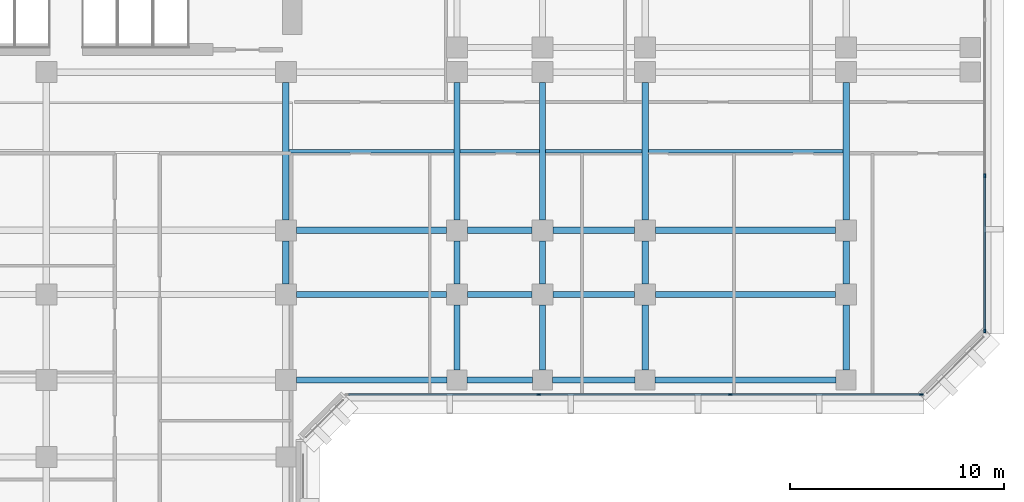
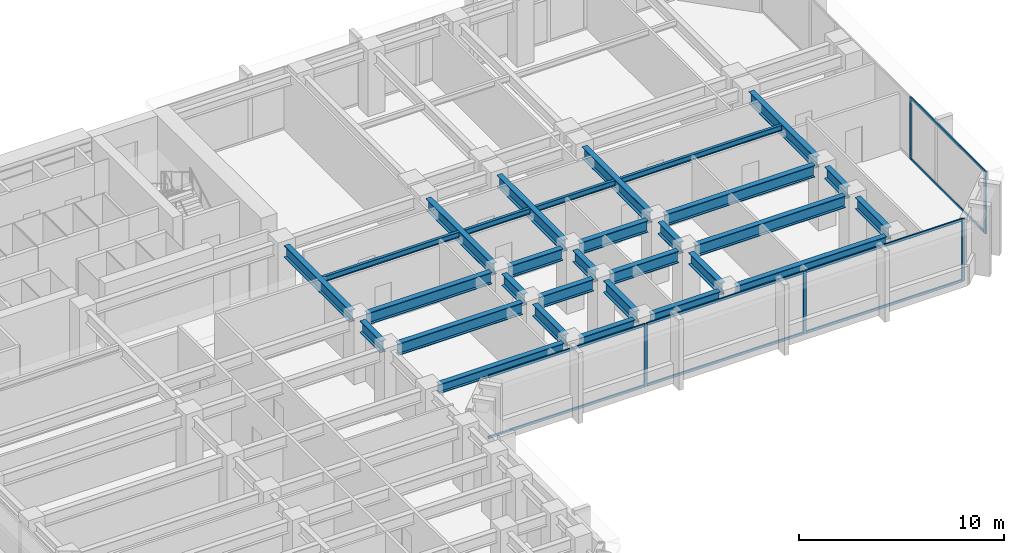
# One storey, part 3 of 13: 30 beams, 13 members, 2 elements without a shape of their own.
"""IFC4 building model written with IfcOpenShell, lengths in metres."""

from ifc_helpers import new_model, si_unit, direction, frame, origin, origin_2d, place, context, subcontext, project, spatial, rectangle, i_section, extrude, material, layer, layer_set, material_profile, profile_set, type_object, element, aggregate, save


model = new_model("IFC4")

# Units and contexts
model_context = context("Model", 3, precision=1e-05, world=origin(), true_north=direction((0.0, 1.0)))
body_context = subcontext(model_context, "Body", "Model", "MODEL_VIEW")
ifc_project = project(units=[si_unit("LENGTHUNIT", "METRE"), si_unit("AREAUNIT", "SQUARE_METRE"), si_unit("VOLUMEUNIT", "CUBIC_METRE"), si_unit("PLANEANGLEUNIT", "RADIAN"), si_unit("MASSUNIT", "GRAM", prefix="KILO")], contexts=[model_context])

# Site, building, storey
site_placement = place(None, origin())
site = spatial("IfcSite", under=ifc_project, at=site_placement, CompositionType="ELEMENT")
building_placement = place(site_placement, origin())
building = spatial("IfcBuilding", under=site, at=building_placement, Name="Kefirva Bronze Tower", CompositionType="ELEMENT")
storey_placement = place(building_placement, frame((0.0, 0.0, 58.080078125)))
storey = spatial("IfcBuildingStorey", under=building, at=storey_placement, Name="L13", CompositionType="ELEMENT", Elevation=58.080078125)

# Curtain wall, members
ifc_material_1 = material(Name="Bronze anodised aluminium", Category="aluminium")
ifc_layer = layer(ifc_material_1, 0.199951171875, Name="Bronze anodised aluminium")
ifc_layer_set = layer_set([ifc_layer], Name="Bronze anodised aluminium")
curtain_wall_type = type_object("IfcCurtainWallType", Name="Unitised Bronze Ribbon Curtain Wall Zone 1", PredefinedType="USERDEFINED", material=ifc_layer_set)
curtain_wall_1_placement = place(storey_placement, origin())
curtain_wall_1 = element("IfcCurtainWall", 1, at=curtain_wall_1_placement, inside=storey, type_object=curtain_wall_type, Name="L13 Curtain Wall 2", ObjectType="UNITISED CURTAIN WALL", PredefinedType="USERDEFINED")
ifc_material_profile_1 = material_profile(ifc_material_1, rectangle(XDim=0.074951171875, YDim=0.179931640625, at=origin_2d()), Name="ALU 75x180")
ifc_profile_set_1 = profile_set([ifc_material_profile_1], Name="Bronze anodised aluminium")
member_type_1 = type_object("IfcMemberType", Name="Bronze Mullion 75x180", PredefinedType="MULLION", material=ifc_profile_set_1)
member_1_placement = place(storey_placement, frame((35.018310546875, 18.1201171875, 0.0), z_axis=(0.0, 0.0, 1.0), x_axis=(0.0, 1.0, 0.0)))
member_1 = element("IfcMember", 2, at=member_1_placement, type_object=member_type_1, Name="CW-01 mullion 2", PredefinedType="MULLION", context=body_context, shape_type="SweptSolid", body=[
    extrude(rectangle(XDim=0.074951171875, YDim=0.179931640625, at=origin_2d()), origin(), (0.0, 0.0, 1.0), 3.7099609375),
])
member_2_placement = place(storey_placement, frame((43.981689453125, 18.1201171875, 0.0), z_axis=(0.0, 0.0, 1.0), x_axis=(0.0, 1.0, 0.0)))
member_2 = element("IfcMember", 3, at=member_2_placement, type_object=member_type_1, Name="CW-01 mullion 3", PredefinedType="MULLION", context=body_context, shape_type="SweptSolid", body=[
    extrude(rectangle(XDim=0.074951171875, YDim=0.179931640625, at=origin_2d()), origin(), (0.0, 0.0, 1.0), 3.7099609375),
])
member_3_placement = place(storey_placement, frame((52.907470703125, 18.1201171875, 0.0), z_axis=(0.0, 0.0, 1.0), x_axis=(0.0, 1.0, 0.0)))
member_3 = element("IfcMember", 4, at=member_3_placement, type_object=member_type_1, Name="CW-01 mullion 4", PredefinedType="MULLION", context=body_context, shape_type="SweptSolid", body=[
    extrude(rectangle(XDim=0.074951171875, YDim=0.179931640625, at=origin_2d()), origin(), (0.0, 0.0, 1.0), 3.7099609375),
])

curtain_wall_2_placement = place(storey_placement, origin())
curtain_wall_2 = element("IfcCurtainWall", 5, at=curtain_wall_2_placement, inside=storey, type_object=curtain_wall_type, Name="L13 Curtain Wall 3", ObjectType="UNITISED CURTAIN WALL", PredefinedType="USERDEFINED")
member_4_placement = place(storey_placement, frame((55.8798828125, 21.092529296875, 0.0), z_axis=(0.0, 0.0, 1.0), x_axis=(-1.0, 0.0, 0.0)))
member_4 = element("IfcMember", 6, at=member_4_placement, type_object=member_type_1, Name="CW-01 mullion 1", PredefinedType="MULLION", context=body_context, shape_type="SweptSolid", body=[
    extrude(rectangle(XDim=0.074951171875, YDim=0.179931640625, at=origin_2d()), origin(), (0.0, 0.0, 1.0), 3.7099609375),
])
member_5_placement = place(storey_placement, frame((55.8798828125, 28.3515625, 0.0), z_axis=(0.0, 0.0, 1.0), x_axis=(-1.0, 0.0, 0.0)))
member_5 = element("IfcMember", 7, at=member_5_placement, type_object=member_type_1, Name="CW-01 mullion 2", PredefinedType="MULLION", context=body_context, shape_type="SweptSolid", body=[
    extrude(rectangle(XDim=0.074951171875, YDim=0.179931640625, at=origin_2d()), origin(), (0.0, 0.0, 1.0), 3.7099609375),
])

# Member
ifc_material_profile_2 = material_profile(ifc_material_1, rectangle(XDim=0.074951171875, YDim=0.14990234375, at=origin_2d()), Name="ALU 75x150")
ifc_profile_set_2 = profile_set([ifc_material_profile_2], Name="Bronze anodised aluminium")
member_type_2 = type_object("IfcMemberType", Name="Bronze Transom 75x150", PredefinedType="USERDEFINED", material=ifc_profile_set_2)
member_6_placement = place(storey_placement, frame((26.1298828125, 18.1201171875, 0.037353515625), z_axis=(1.0, 0.0, 0.0), x_axis=(0.0, 1.0, 0.0)))
member_6 = element("IfcMember", 8, at=member_6_placement, type_object=member_type_2, Name="CW-01 transom 1.1", ObjectType="TRANSOM", PredefinedType="USERDEFINED", context=body_context, shape_type="SweptSolid", body=[
    extrude(rectangle(XDim=0.074951171875, YDim=0.14990234375, at=origin_2d()), origin(), (0.0, 0.0, 1.0), 8.850830078125),
])

member_7_placement = place(storey_placement, frame((26.1298828125, 18.1201171875, 3.67236328125), z_axis=(1.0, 0.0, 0.0), x_axis=(0.0, 1.0, 0.0)))
member_7 = element("IfcMember", 9, at=member_7_placement, type_object=member_type_2, Name="CW-01 transom 1.2", ObjectType="TRANSOM", PredefinedType="USERDEFINED", context=body_context, shape_type="SweptSolid", body=[
    extrude(rectangle(XDim=0.074951171875, YDim=0.14990234375, at=origin_2d()), origin(), (0.0, 0.0, 1.0), 8.850830078125),
])

member_8_placement = place(storey_placement, frame((35.055908203125, 18.1201171875, 0.037353515625), z_axis=(1.0, 0.0, 0.0), x_axis=(0.0, 1.0, 0.0)))
member_8 = element("IfcMember", 10, at=member_8_placement, type_object=member_type_2, Name="CW-01 transom 2.1", ObjectType="TRANSOM", PredefinedType="USERDEFINED", context=body_context, shape_type="SweptSolid", body=[
    extrude(rectangle(XDim=0.074951171875, YDim=0.14990234375, at=origin_2d()), origin(), (0.0, 0.0, 1.0), 8.88818359375),
])

member_9_placement = place(storey_placement, frame((35.055908203125, 18.1201171875, 3.67236328125), z_axis=(1.0, 0.0, 0.0), x_axis=(0.0, 1.0, 0.0)))
member_9 = element("IfcMember", 11, at=member_9_placement, type_object=member_type_2, Name="CW-01 transom 2.2", ObjectType="TRANSOM", PredefinedType="USERDEFINED", context=body_context, shape_type="SweptSolid", body=[
    extrude(rectangle(XDim=0.074951171875, YDim=0.14990234375, at=origin_2d()), origin(), (0.0, 0.0, 1.0), 8.88818359375),
])

member_10_placement = place(storey_placement, frame((44.019287109375, 18.1201171875, 0.037353515625), z_axis=(1.0, 0.0, 0.0), x_axis=(0.0, 1.0, 0.0)))
member_10 = element("IfcMember", 12, at=member_10_placement, type_object=member_type_2, Name="CW-01 transom 3.1", ObjectType="TRANSOM", PredefinedType="USERDEFINED", context=body_context, shape_type="SweptSolid", body=[
    extrude(rectangle(XDim=0.074951171875, YDim=0.14990234375, at=origin_2d()), origin(), (0.0, 0.0, 1.0), 8.850830078125),
])

member_11_placement = place(storey_placement, frame((44.019287109375, 18.1201171875, 3.67236328125), z_axis=(1.0, 0.0, 0.0), x_axis=(0.0, 1.0, 0.0)))
member_11 = element("IfcMember", 13, at=member_11_placement, type_object=member_type_2, Name="CW-01 transom 3.2", ObjectType="TRANSOM", PredefinedType="USERDEFINED", context=body_context, shape_type="SweptSolid", body=[
    extrude(rectangle(XDim=0.074951171875, YDim=0.14990234375, at=origin_2d()), origin(), (0.0, 0.0, 1.0), 8.850830078125),
])

aggregate(curtain_wall_1, [member_1, member_2, member_3, member_6, member_7, member_8, member_9, member_10, member_11])

member_12_placement = place(storey_placement, frame((55.8798828125, 21.1298828125, 0.037353515625), z_axis=(0.0, 1.0, 0.0), x_axis=(-1.0, 0.0, 0.0)))
member_12 = element("IfcMember", 14, at=member_12_placement, type_object=member_type_2, Name="CW-01 transom 1.1", ObjectType="TRANSOM", PredefinedType="USERDEFINED", context=body_context, shape_type="SweptSolid", body=[
    extrude(rectangle(XDim=0.074951171875, YDim=0.14990234375, at=origin_2d()), origin(), (0.0, 0.0, 1.0), 7.184326171875),
])

member_13_placement = place(storey_placement, frame((55.8798828125, 21.1298828125, 3.67236328125), z_axis=(0.0, 1.0, 0.0), x_axis=(-1.0, 0.0, 0.0)))
member_13 = element("IfcMember", 15, at=member_13_placement, type_object=member_type_2, Name="CW-01 transom 1.2", ObjectType="TRANSOM", PredefinedType="USERDEFINED", context=body_context, shape_type="SweptSolid", body=[
    extrude(rectangle(XDim=0.074951171875, YDim=0.14990234375, at=origin_2d()), origin(), (0.0, 0.0, 1.0), 7.184326171875),
])

aggregate(curtain_wall_2, [member_4, member_5, member_12, member_13])

# Beams
ifc_material_2 = material(Name="Steel S355", Category="steel")
ifc_material_profile_3 = material_profile(ifc_material_2, i_section(OverallWidth=0.159912109375, OverallDepth=0.330078125, WebThickness=0.007568359375, FlangeThickness=0.011474609375, at=origin_2d()), Name="IPE 330")
ifc_profile_set_3 = profile_set([ifc_material_profile_3], Name="Steel S355")
beam_type_1 = type_object("IfcBeamType", Name="Steel Floor Joist IPE 330", PredefinedType="JOIST", material=ifc_profile_set_3)
beam_1_placement = place(storey_placement, frame((23.35009765625, 29.5, 3.544921875), z_axis=(1.0, 0.0, 0.0), x_axis=(0.0, 1.0, 0.0)))
element("IfcBeam", 16, at=beam_1_placement, inside=storey, type_object=beam_type_1, Name="L13 JST-L13-23-295", PredefinedType="JOIST", context=body_context, shape_type="SweptSolid", body=[
    extrude(i_section(OverallWidth=0.159912109375, OverallDepth=0.330078125, WebThickness=0.007568359375, FlangeThickness=0.011474609375, at=origin_2d()), origin(), (0.0, 0.0, 1.0), 7.699951171875),
])
beam_2_placement = place(storey_placement, frame((31.35009765625, 29.5, 3.544921875), z_axis=(1.0, 0.0, 0.0), x_axis=(0.0, 1.0, 0.0)))
element("IfcBeam", 17, at=beam_2_placement, inside=storey, type_object=beam_type_1, Name="L13 JST-L13-31-295", PredefinedType="JOIST", context=body_context, shape_type="SweptSolid", body=[
    extrude(i_section(OverallWidth=0.159912109375, OverallDepth=0.330078125, WebThickness=0.007568359375, FlangeThickness=0.011474609375, at=origin_2d()), origin(), (0.0, 0.0, 1.0), 3.699951171875),
])
beam_3_placement = place(storey_placement, frame((35.35009765625, 29.5, 3.544921875), z_axis=(1.0, 0.0, 0.0), x_axis=(0.0, 1.0, 0.0)))
element("IfcBeam", 18, at=beam_3_placement, inside=storey, type_object=beam_type_1, Name="L13 JST-L13-35-295", PredefinedType="JOIST", context=body_context, shape_type="SweptSolid", body=[
    extrude(i_section(OverallWidth=0.159912109375, OverallDepth=0.330078125, WebThickness=0.007568359375, FlangeThickness=0.011474609375, at=origin_2d()), origin(), (0.0, 0.0, 1.0), 4.5),
])
beam_4_placement = place(storey_placement, frame((40.14990234375, 29.5, 3.544921875), z_axis=(1.0, 0.0, 0.0), x_axis=(0.0, 1.0, 0.0)))
element("IfcBeam", 19, at=beam_4_placement, inside=storey, type_object=beam_type_1, Name="L13 JST-L13-40-295", PredefinedType="JOIST", context=body_context, shape_type="SweptSolid", body=[
    extrude(i_section(OverallWidth=0.159912109375, OverallDepth=0.330078125, WebThickness=0.007568359375, FlangeThickness=0.011474609375, at=origin_2d()), origin(), (0.0, 0.0, 1.0), 9.10009765625),
])
ifc_material_profile_4 = material_profile(ifc_material_2, i_section(OverallWidth=0.300048828125, OverallDepth=0.699951171875, WebThickness=0.01708984375, FlangeThickness=0.031982421875, at=origin_2d()), Name="HEB 700")
ifc_profile_set_4 = profile_set([ifc_material_profile_4], Name="Steel S355")
beam_type_2 = type_object("IfcBeamType", Name="Steel Girder HEB 700", PredefinedType="USERDEFINED", material=ifc_profile_set_4)
beam_5_placement = place(storey_placement, frame((23.68994140625, 22.800048828125, 3.35986328125), z_axis=(1.0, 0.0, 0.0), x_axis=(0.0, 1.0, 0.0)))
element("IfcBeam", 20, at=beam_5_placement, inside=storey, type_object=beam_type_2, Name="L13 BM-L13-EW-23-228", ObjectType="GIRDER", PredefinedType="USERDEFINED", context=body_context, shape_type="SweptSolid", body=[
    extrude(i_section(OverallWidth=0.300048828125, OverallDepth=0.699951171875, WebThickness=0.01708984375, FlangeThickness=0.031982421875, at=origin_2d()), origin(), (0.0, 0.0, 1.0), 7.02001953125),
])
beam_6_placement = place(storey_placement, frame((31.68994140625, 22.800048828125, 3.35986328125), z_axis=(1.0, 0.0, 0.0), x_axis=(0.0, 1.0, 0.0)))
element("IfcBeam", 21, at=beam_6_placement, inside=storey, type_object=beam_type_2, Name="L13 BM-L13-EW-31-228", ObjectType="GIRDER", PredefinedType="USERDEFINED", context=body_context, shape_type="SweptSolid", body=[
    extrude(i_section(OverallWidth=0.300048828125, OverallDepth=0.699951171875, WebThickness=0.01708984375, FlangeThickness=0.031982421875, at=origin_2d()), origin(), (0.0, 0.0, 1.0), 3.02001953125),
])
beam_7_placement = place(storey_placement, frame((35.68994140625, 22.800048828125, 3.35986328125), z_axis=(1.0, 0.0, 0.0), x_axis=(0.0, 1.0, 0.0)))
element("IfcBeam", 22, at=beam_7_placement, inside=storey, type_object=beam_type_2, Name="L13 BM-L13-EW-35-228", ObjectType="GIRDER", PredefinedType="USERDEFINED", context=body_context, shape_type="SweptSolid", body=[
    extrude(i_section(OverallWidth=0.300048828125, OverallDepth=0.699951171875, WebThickness=0.01708984375, FlangeThickness=0.031982421875, at=origin_2d()), origin(), (0.0, 0.0, 1.0), 3.820068359375),
])
beam_8_placement = place(storey_placement, frame((40.489990234375, 22.800048828125, 3.35986328125), z_axis=(1.0, 0.0, 0.0), x_axis=(0.0, 1.0, 0.0)))
element("IfcBeam", 23, at=beam_8_placement, inside=storey, type_object=beam_type_2, Name="L13 BM-L13-EW-40-228", ObjectType="GIRDER", PredefinedType="USERDEFINED", context=body_context, shape_type="SweptSolid", body=[
    extrude(i_section(OverallWidth=0.300048828125, OverallDepth=0.699951171875, WebThickness=0.01708984375, FlangeThickness=0.031982421875, at=origin_2d()), origin(), (0.0, 0.0, 1.0), 8.419921875),
])
beam_9_placement = place(storey_placement, frame((23.68994140625, 25.800048828125, 3.35986328125), z_axis=(1.0, 0.0, 0.0), x_axis=(0.0, 1.0, 0.0)))
element("IfcBeam", 24, at=beam_9_placement, inside=storey, type_object=beam_type_2, Name="L13 BM-L13-EW-23-258", ObjectType="GIRDER", PredefinedType="USERDEFINED", context=body_context, shape_type="SweptSolid", body=[
    extrude(i_section(OverallWidth=0.300048828125, OverallDepth=0.699951171875, WebThickness=0.01708984375, FlangeThickness=0.031982421875, at=origin_2d()), origin(), (0.0, 0.0, 1.0), 7.02001953125),
])
beam_10_placement = place(storey_placement, frame((31.68994140625, 25.800048828125, 3.35986328125), z_axis=(1.0, 0.0, 0.0), x_axis=(0.0, 1.0, 0.0)))
element("IfcBeam", 25, at=beam_10_placement, inside=storey, type_object=beam_type_2, Name="L13 BM-L13-EW-31-258", ObjectType="GIRDER", PredefinedType="USERDEFINED", context=body_context, shape_type="SweptSolid", body=[
    extrude(i_section(OverallWidth=0.300048828125, OverallDepth=0.699951171875, WebThickness=0.01708984375, FlangeThickness=0.031982421875, at=origin_2d()), origin(), (0.0, 0.0, 1.0), 3.02001953125),
])
beam_11_placement = place(storey_placement, frame((35.68994140625, 25.800048828125, 3.35986328125), z_axis=(1.0, 0.0, 0.0), x_axis=(0.0, 1.0, 0.0)))
element("IfcBeam", 26, at=beam_11_placement, inside=storey, type_object=beam_type_2, Name="L13 BM-L13-EW-35-258", ObjectType="GIRDER", PredefinedType="USERDEFINED", context=body_context, shape_type="SweptSolid", body=[
    extrude(i_section(OverallWidth=0.300048828125, OverallDepth=0.699951171875, WebThickness=0.01708984375, FlangeThickness=0.031982421875, at=origin_2d()), origin(), (0.0, 0.0, 1.0), 3.820068359375),
])
beam_12_placement = place(storey_placement, frame((40.489990234375, 25.800048828125, 3.35986328125), z_axis=(1.0, 0.0, 0.0), x_axis=(0.0, 1.0, 0.0)))
element("IfcBeam", 27, at=beam_12_placement, inside=storey, type_object=beam_type_2, Name="L13 BM-L13-EW-40-258", ObjectType="GIRDER", PredefinedType="USERDEFINED", context=body_context, shape_type="SweptSolid", body=[
    extrude(i_section(OverallWidth=0.300048828125, OverallDepth=0.699951171875, WebThickness=0.01708984375, FlangeThickness=0.031982421875, at=origin_2d()), origin(), (0.0, 0.0, 1.0), 8.419921875),
])
beam_13_placement = place(storey_placement, frame((23.199951171875, 23.2900390625, 3.35986328125), z_axis=(0.0, 1.0, 0.0), x_axis=(-1.0, 0.0, 0.0)))
element("IfcBeam", 28, at=beam_13_placement, inside=storey, type_object=beam_type_2, Name="L13 BM-L13-NS-232-22", ObjectType="GIRDER", PredefinedType="USERDEFINED", context=body_context, shape_type="SweptSolid", body=[
    extrude(i_section(OverallWidth=0.300048828125, OverallDepth=0.699951171875, WebThickness=0.01708984375, FlangeThickness=0.031982421875, at=origin_2d()), origin(), (0.0, 0.0, 1.0), 2.02001953125),
])
beam_14_placement = place(storey_placement, frame((23.199951171875, 26.2900390625, 3.35986328125), z_axis=(0.0, 1.0, 0.0), x_axis=(-1.0, 0.0, 0.0)))
element("IfcBeam", 29, at=beam_14_placement, inside=storey, type_object=beam_type_2, Name="L13 BM-L13-NS-232-25", ObjectType="GIRDER", PredefinedType="USERDEFINED", context=body_context, shape_type="SweptSolid", body=[
    extrude(i_section(OverallWidth=0.300048828125, OverallDepth=0.699951171875, WebThickness=0.01708984375, FlangeThickness=0.031982421875, at=origin_2d()), origin(), (0.0, 0.0, 1.0), 6.419921875),
])
beam_15_placement = place(storey_placement, frame((31.199951171875, 19.27001953125, 3.35986328125), z_axis=(0.0, 1.0, 0.0), x_axis=(-1.0, 0.0, 0.0)))
element("IfcBeam", 30, at=beam_15_placement, inside=storey, type_object=beam_type_2, Name="L13 BM-L13-NS-312-18", ObjectType="GIRDER", PredefinedType="USERDEFINED", context=body_context, shape_type="SweptSolid", body=[
    extrude(i_section(OverallWidth=0.300048828125, OverallDepth=0.699951171875, WebThickness=0.01708984375, FlangeThickness=0.031982421875, at=origin_2d()), origin(), (0.0, 0.0, 1.0), 3.0400390625),
])
beam_16_placement = place(storey_placement, frame((31.199951171875, 23.2900390625, 3.35986328125), z_axis=(0.0, 1.0, 0.0), x_axis=(-1.0, 0.0, 0.0)))
element("IfcBeam", 31, at=beam_16_placement, inside=storey, type_object=beam_type_2, Name="L13 BM-L13-NS-312-22", ObjectType="GIRDER", PredefinedType="USERDEFINED", context=body_context, shape_type="SweptSolid", body=[
    extrude(i_section(OverallWidth=0.300048828125, OverallDepth=0.699951171875, WebThickness=0.01708984375, FlangeThickness=0.031982421875, at=origin_2d()), origin(), (0.0, 0.0, 1.0), 2.02001953125),
])
beam_17_placement = place(storey_placement, frame((31.199951171875, 26.2900390625, 3.35986328125), z_axis=(0.0, 1.0, 0.0), x_axis=(-1.0, 0.0, 0.0)))
element("IfcBeam", 32, at=beam_17_placement, inside=storey, type_object=beam_type_2, Name="L13 BM-L13-NS-312-25", ObjectType="GIRDER", PredefinedType="USERDEFINED", context=body_context, shape_type="SweptSolid", body=[
    extrude(i_section(OverallWidth=0.300048828125, OverallDepth=0.699951171875, WebThickness=0.01708984375, FlangeThickness=0.031982421875, at=origin_2d()), origin(), (0.0, 0.0, 1.0), 6.419921875),
])
beam_18_placement = place(storey_placement, frame((35.199951171875, 19.27001953125, 3.35986328125), z_axis=(0.0, 1.0, 0.0), x_axis=(-1.0, 0.0, 0.0)))
element("IfcBeam", 33, at=beam_18_placement, inside=storey, type_object=beam_type_2, Name="L13 BM-L13-NS-352-18", ObjectType="GIRDER", PredefinedType="USERDEFINED", context=body_context, shape_type="SweptSolid", body=[
    extrude(i_section(OverallWidth=0.300048828125, OverallDepth=0.699951171875, WebThickness=0.01708984375, FlangeThickness=0.031982421875, at=origin_2d()), origin(), (0.0, 0.0, 1.0), 3.0400390625),
])
beam_19_placement = place(storey_placement, frame((35.199951171875, 23.2900390625, 3.35986328125), z_axis=(0.0, 1.0, 0.0), x_axis=(-1.0, 0.0, 0.0)))
element("IfcBeam", 34, at=beam_19_placement, inside=storey, type_object=beam_type_2, Name="L13 BM-L13-NS-352-22", ObjectType="GIRDER", PredefinedType="USERDEFINED", context=body_context, shape_type="SweptSolid", body=[
    extrude(i_section(OverallWidth=0.300048828125, OverallDepth=0.699951171875, WebThickness=0.01708984375, FlangeThickness=0.031982421875, at=origin_2d()), origin(), (0.0, 0.0, 1.0), 2.02001953125),
])
beam_20_placement = place(storey_placement, frame((35.199951171875, 26.2900390625, 3.35986328125), z_axis=(0.0, 1.0, 0.0), x_axis=(-1.0, 0.0, 0.0)))
element("IfcBeam", 35, at=beam_20_placement, inside=storey, type_object=beam_type_2, Name="L13 BM-L13-NS-352-25", ObjectType="GIRDER", PredefinedType="USERDEFINED", context=body_context, shape_type="SweptSolid", body=[
    extrude(i_section(OverallWidth=0.300048828125, OverallDepth=0.699951171875, WebThickness=0.01708984375, FlangeThickness=0.031982421875, at=origin_2d()), origin(), (0.0, 0.0, 1.0), 6.419921875),
])
beam_21_placement = place(storey_placement, frame((40.0, 19.27001953125, 3.35986328125), z_axis=(0.0, 1.0, 0.0), x_axis=(-1.0, 0.0, 0.0)))
element("IfcBeam", 36, at=beam_21_placement, inside=storey, type_object=beam_type_2, Name="L13 BM-L13-NS-400-18", ObjectType="GIRDER", PredefinedType="USERDEFINED", context=body_context, shape_type="SweptSolid", body=[
    extrude(i_section(OverallWidth=0.300048828125, OverallDepth=0.699951171875, WebThickness=0.01708984375, FlangeThickness=0.031982421875, at=origin_2d()), origin(), (0.0, 0.0, 1.0), 3.0400390625),
])
beam_22_placement = place(storey_placement, frame((40.0, 23.2900390625, 3.35986328125), z_axis=(0.0, 1.0, 0.0), x_axis=(-1.0, 0.0, 0.0)))
element("IfcBeam", 37, at=beam_22_placement, inside=storey, type_object=beam_type_2, Name="L13 BM-L13-NS-400-22", ObjectType="GIRDER", PredefinedType="USERDEFINED", context=body_context, shape_type="SweptSolid", body=[
    extrude(i_section(OverallWidth=0.300048828125, OverallDepth=0.699951171875, WebThickness=0.01708984375, FlangeThickness=0.031982421875, at=origin_2d()), origin(), (0.0, 0.0, 1.0), 2.02001953125),
])
beam_23_placement = place(storey_placement, frame((40.0, 26.2900390625, 3.35986328125), z_axis=(0.0, 1.0, 0.0), x_axis=(-1.0, 0.0, 0.0)))
element("IfcBeam", 38, at=beam_23_placement, inside=storey, type_object=beam_type_2, Name="L13 BM-L13-NS-400-25", ObjectType="GIRDER", PredefinedType="USERDEFINED", context=body_context, shape_type="SweptSolid", body=[
    extrude(i_section(OverallWidth=0.300048828125, OverallDepth=0.699951171875, WebThickness=0.01708984375, FlangeThickness=0.031982421875, at=origin_2d()), origin(), (0.0, 0.0, 1.0), 6.419921875),
])
beam_24_placement = place(storey_placement, frame((49.39990234375, 19.27001953125, 3.35986328125), z_axis=(0.0, 1.0, 0.0), x_axis=(-1.0, 0.0, 0.0)))
element("IfcBeam", 39, at=beam_24_placement, inside=storey, type_object=beam_type_2, Name="L13 BM-L13-NS-494-18", ObjectType="GIRDER", PredefinedType="USERDEFINED", context=body_context, shape_type="SweptSolid", body=[
    extrude(i_section(OverallWidth=0.300048828125, OverallDepth=0.699951171875, WebThickness=0.01708984375, FlangeThickness=0.031982421875, at=origin_2d()), origin(), (0.0, 0.0, 1.0), 3.0400390625),
])
beam_25_placement = place(storey_placement, frame((49.39990234375, 23.2900390625, 3.35986328125), z_axis=(0.0, 1.0, 0.0), x_axis=(-1.0, 0.0, 0.0)))
element("IfcBeam", 40, at=beam_25_placement, inside=storey, type_object=beam_type_2, Name="L13 BM-L13-NS-494-22", ObjectType="GIRDER", PredefinedType="USERDEFINED", context=body_context, shape_type="SweptSolid", body=[
    extrude(i_section(OverallWidth=0.300048828125, OverallDepth=0.699951171875, WebThickness=0.01708984375, FlangeThickness=0.031982421875, at=origin_2d()), origin(), (0.0, 0.0, 1.0), 2.02001953125),
])
beam_26_placement = place(storey_placement, frame((49.39990234375, 26.2900390625, 3.35986328125), z_axis=(0.0, 1.0, 0.0), x_axis=(-1.0, 0.0, 0.0)))
element("IfcBeam", 41, at=beam_26_placement, inside=storey, type_object=beam_type_2, Name="L13 BM-L13-NS-494-25", ObjectType="GIRDER", PredefinedType="USERDEFINED", context=body_context, shape_type="SweptSolid", body=[
    extrude(i_section(OverallWidth=0.300048828125, OverallDepth=0.699951171875, WebThickness=0.01708984375, FlangeThickness=0.031982421875, at=origin_2d()), origin(), (0.0, 0.0, 1.0), 6.419921875),
])
ifc_material_profile_5 = material_profile(ifc_material_2, i_section(OverallWidth=0.300048828125, OverallDepth=0.550048828125, WebThickness=0.014892578125, FlangeThickness=0.029052734375, at=origin_2d()), Name="HEB 550")
ifc_profile_set_5 = profile_set([ifc_material_profile_5], Name="Steel S355")
beam_type_3 = type_object("IfcBeamType", Name="Steel Spandrel HEB 550 Ext", PredefinedType="SPANDREL", material=ifc_profile_set_5)
beam_27_placement = place(storey_placement, frame((23.68994140625, 18.800048828125, 3.434814453125), z_axis=(1.0, 0.0, 0.0), x_axis=(0.0, 1.0, 0.0)))
element("IfcBeam", 42, at=beam_27_placement, inside=storey, type_object=beam_type_3, Name="L13 BM-L13-EW-23-188", PredefinedType="SPANDREL", context=body_context, shape_type="SweptSolid", body=[
    extrude(i_section(OverallWidth=0.300048828125, OverallDepth=0.550048828125, WebThickness=0.014892578125, FlangeThickness=0.029052734375, at=origin_2d()), origin(), (0.0, 0.0, 1.0), 7.0400390625),
])
beam_28_placement = place(storey_placement, frame((31.669921875, 18.800048828125, 3.434814453125), z_axis=(1.0, 0.0, 0.0), x_axis=(0.0, 1.0, 0.0)))
element("IfcBeam", 43, at=beam_28_placement, inside=storey, type_object=beam_type_3, Name="L13 BM-L13-EW-31-188", PredefinedType="SPANDREL", context=body_context, shape_type="SweptSolid", body=[
    extrude(i_section(OverallWidth=0.300048828125, OverallDepth=0.550048828125, WebThickness=0.014892578125, FlangeThickness=0.029052734375, at=origin_2d()), origin(), (0.0, 0.0, 1.0), 3.06005859375),
])
beam_29_placement = place(storey_placement, frame((35.669921875, 18.800048828125, 3.434814453125), z_axis=(1.0, 0.0, 0.0), x_axis=(0.0, 1.0, 0.0)))
element("IfcBeam", 44, at=beam_29_placement, inside=storey, type_object=beam_type_3, Name="L13 BM-L13-EW-35-188", PredefinedType="SPANDREL", context=body_context, shape_type="SweptSolid", body=[
    extrude(i_section(OverallWidth=0.300048828125, OverallDepth=0.550048828125, WebThickness=0.014892578125, FlangeThickness=0.029052734375, at=origin_2d()), origin(), (0.0, 0.0, 1.0), 3.860107421875),
])
beam_30_placement = place(storey_placement, frame((40.469970703125, 18.800048828125, 3.434814453125), z_axis=(1.0, 0.0, 0.0), x_axis=(0.0, 1.0, 0.0)))
element("IfcBeam", 45, at=beam_30_placement, inside=storey, type_object=beam_type_3, Name="L13 BM-L13-EW-40-188", PredefinedType="SPANDREL", context=body_context, shape_type="SweptSolid", body=[
    extrude(i_section(OverallWidth=0.300048828125, OverallDepth=0.550048828125, WebThickness=0.014892578125, FlangeThickness=0.029052734375, at=origin_2d()), origin(), (0.0, 0.0, 1.0), 8.4599609375),
])

save(model, "model.ifc")
